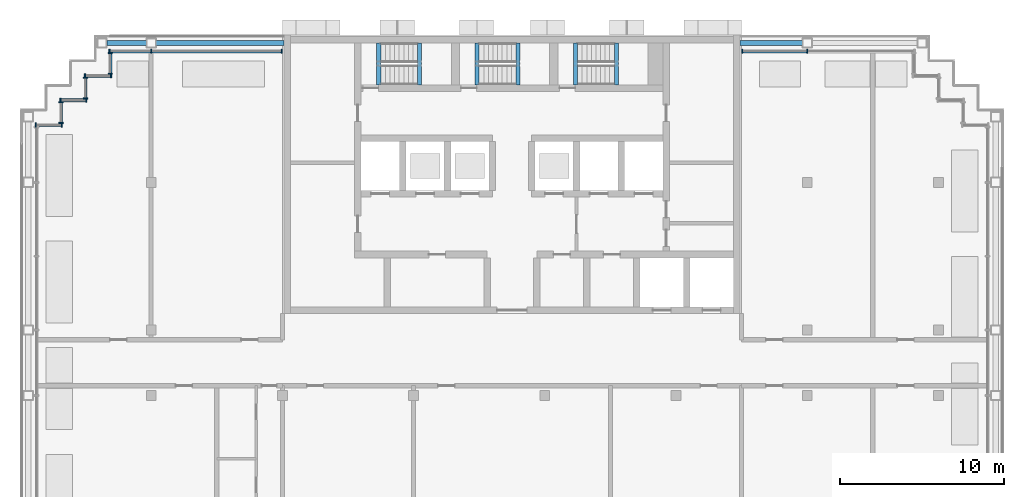
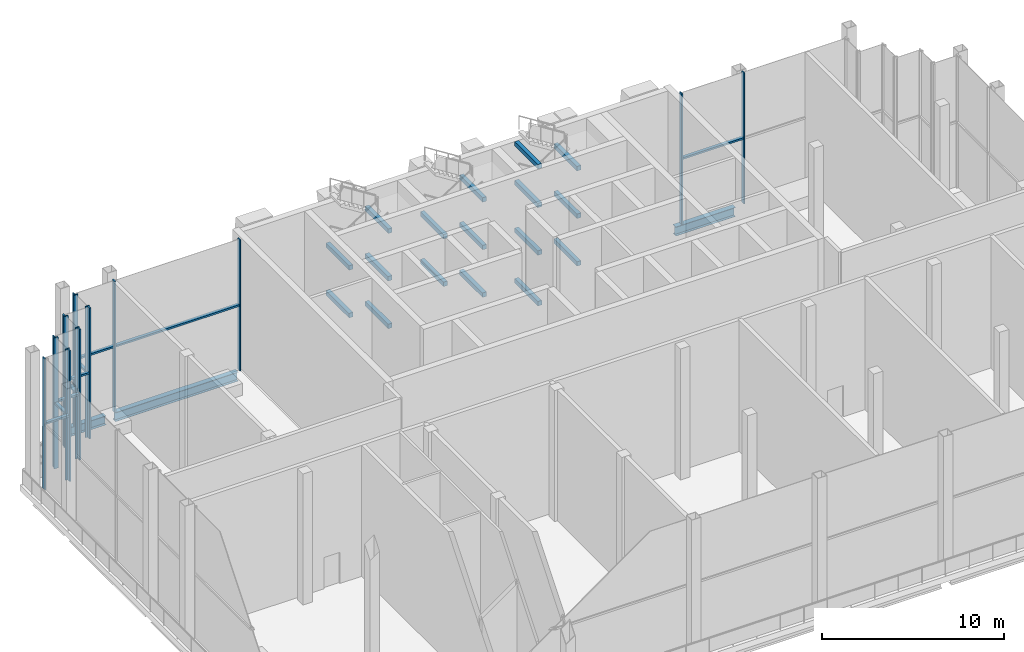
# One storey, part 4 of 15: 26 members, 20 beams, 8 elements without a shape of their own.
"""IFC4 building model written with IfcOpenShell, lengths in metres."""

from ifc_helpers import new_model, si_unit, direction, frame, origin, origin_2d, place, context, subcontext, project, spatial, rectangle, i_section, extrude, material, material_profile, profile_set, type_object, element, aggregate, save


model = new_model("IFC4")

# Units and contexts
model_context = context("Model", 3, precision=1e-05, world=origin(), true_north=direction((0.0, 1.0)))
body_context = subcontext(model_context, "Body", "Model", "MODEL_VIEW")
ifc_project = project(units=[si_unit("LENGTHUNIT", "METRE"), si_unit("AREAUNIT", "SQUARE_METRE"), si_unit("VOLUMEUNIT", "CUBIC_METRE"), si_unit("PLANEANGLEUNIT", "RADIAN"), si_unit("MASSUNIT", "GRAM", prefix="KILO")], contexts=[model_context])

# Site, building, storey
site_placement = place(None, origin())
site = spatial("IfcSite", under=ifc_project, at=site_placement, CompositionType="ELEMENT")
building_placement = place(site_placement, origin())
building = spatial("IfcBuilding", under=site, at=building_placement, Name="Vidyagriha Tower", CompositionType="ELEMENT")
storey_placement = place(building_placement, frame((0.0, 0.0, 239.60009765625)))
storey = spatial("IfcBuildingStorey", under=building, at=storey_placement, Name="L63", CompositionType="ELEMENT", Elevation=239.60009765625)

# Beams
ifc_material_1 = material(Name="Steel ASTM A992 Grade 50", Category="steel")
ifc_material_profile_1 = material_profile(ifc_material_1, i_section(OverallWidth=0.32373046875, OverallDepth=0.612060546875, WebThickness=0.0126953125, FlangeThickness=0.01904296875, at=origin_2d()), Name="W24X104")
ifc_profile_set_1 = profile_set([ifc_material_profile_1], Name="Steel ASTM A992 Grade 50")
beam_type_1 = type_object("IfcBeamType", Name="Edge beam W24X104", PredefinedType="SPANDREL", material=ifc_profile_set_1)
beam_1_placement = place(storey_placement, frame((-24.699951171875, 19.5, -0.7060546875), z_axis=(1.0, 0.0, 0.0), x_axis=(0.0, 1.0, 0.0)))
element("IfcBeam", 1, at=beam_1_placement, inside=storey, type_object=beam_type_1, Name="st-beam-L63-NW18", PredefinedType="SPANDREL", context=body_context, shape_type="SweptSolid", body=[
    extrude(i_section(OverallWidth=0.32373046875, OverallDepth=0.612060546875, WebThickness=0.0126953125, FlangeThickness=0.01904296875, at=origin_2d()), origin(), (0.0, 0.0, 1.0), 2.39990234375),
])
beam_2_placement = place(storey_placement, frame((-21.699951171875, 19.5, -0.7060546875), z_axis=(1.0, 0.0, 0.0), x_axis=(0.0, 1.0, 0.0)))
element("IfcBeam", 2, at=beam_2_placement, inside=storey, type_object=beam_type_1, Name="st-beam-L63-NC20", PredefinedType="SPANDREL", context=body_context, shape_type="SweptSolid", body=[
    extrude(i_section(OverallWidth=0.32373046875, OverallDepth=0.612060546875, WebThickness=0.0126953125, FlangeThickness=0.01904296875, at=origin_2d()), origin(), (0.0, 0.0, 1.0), 7.800048828125),
])
beam_3_placement = place(storey_placement, frame((13.89990234375, 19.5, -0.7060546875), z_axis=(1.0, 0.0, 0.0), x_axis=(0.0, 1.0, 0.0)))
element("IfcBeam", 3, at=beam_3_placement, inside=storey, type_object=beam_type_1, Name="st-beam-L63-NC21", PredefinedType="SPANDREL", context=body_context, shape_type="SweptSolid", body=[
    extrude(i_section(OverallWidth=0.32373046875, OverallDepth=0.612060546875, WebThickness=0.0126953125, FlangeThickness=0.01904296875, at=origin_2d()), origin(), (0.0, 0.0, 1.0), 3.800048828125),
])

# Curtain wall, members
ifc_material_2 = material(Name="Aluminium and glass curtain wall", Category="aluminium")
curtain_wall_type = type_object("IfcCurtainWallType", Name="Winter garden glazing wall", PredefinedType="USERDEFINED", material=ifc_material_2)
curtain_wall_1_placement = place(storey_placement, origin())
curtain_wall_1 = element("IfcCurtainWall", 4, at=curtain_wall_1_placement, inside=storey, type_object=curtain_wall_type, Name="CW3 winter garden glazing", ObjectType="STICK GLAZING", PredefinedType="USERDEFINED")
ifc_material_3 = material(Name="Aluminium black anodised", Category="aluminium")
ifc_material_profile_2 = material_profile(ifc_material_3, rectangle(XDim=0.260009765625, YDim=0.080078125, at=origin_2d()), Name="Mullion 80x260 black aluminium")
ifc_profile_set_2 = profile_set([ifc_material_profile_2], Name="Aluminium black anodised")
member_type_1 = type_object("IfcMemberType", Name="Mullion 80x260 black aluminium", PredefinedType="MULLION", material=ifc_profile_set_2)
member_1_placement = place(storey_placement, frame((18.0, 19.0, 0.0), z_axis=(0.0, 0.0, 1.0), x_axis=(0.0, -1.0, 0.0)))
member_1 = element("IfcMember", 5, at=member_1_placement, type_object=member_type_1, Name="CW3 mullion 2", PredefinedType="MULLION", context=body_context, shape_type="SweptSolid", body=[
    extrude(rectangle(XDim=0.260009765625, YDim=0.080078125, at=origin_2d()), origin(), (0.0, 0.0, 1.0), 8.7998046875),
])
member_2_placement = place(storey_placement, frame((14.0400390625, 19.0, 0.0), z_axis=(0.0, 0.0, 1.0), x_axis=(0.0, -1.0, 0.0)))
member_2 = element("IfcMember", 6, at=member_2_placement, type_object=member_type_1, Name="CW3 mullion 3", PredefinedType="MULLION", context=body_context, shape_type="SweptSolid", body=[
    extrude(rectangle(XDim=0.260009765625, YDim=0.080078125, at=origin_2d()), origin(), (0.0, 0.0, 1.0), 8.7998046875),
])

curtain_wall_2_placement = place(storey_placement, origin())
curtain_wall_2 = element("IfcCurtainWall", 7, at=curtain_wall_2_placement, inside=storey, type_object=curtain_wall_type, Name="CW3 winter garden glazing", ObjectType="STICK GLAZING", PredefinedType="USERDEFINED")
member_3_placement = place(storey_placement, frame((-14.0400390625, 19.0, 0.0), z_axis=(0.0, 0.0, 1.0), x_axis=(0.0, -1.0, 0.0)))
member_3 = element("IfcMember", 8, at=member_3_placement, type_object=member_type_1, Name="CW3 mullion 1", PredefinedType="MULLION", context=body_context, shape_type="SweptSolid", body=[
    extrude(rectangle(XDim=0.260009765625, YDim=0.080078125, at=origin_2d()), origin(), (0.0, 0.0, 1.0), 8.7998046875),
])
member_4_placement = place(storey_placement, frame((-22.0, 19.0, 0.0), z_axis=(0.0, 0.0, 1.0), x_axis=(0.0, -1.0, 0.0)))
member_4 = element("IfcMember", 9, at=member_4_placement, type_object=member_type_1, Name="CW3 mullion 2", PredefinedType="MULLION", context=body_context, shape_type="SweptSolid", body=[
    extrude(rectangle(XDim=0.260009765625, YDim=0.080078125, at=origin_2d()), origin(), (0.0, 0.0, 1.0), 8.7998046875),
])
member_5_placement = place(storey_placement, frame((-24.5400390625, 19.0, 0.0), z_axis=(0.0, 0.0, 1.0), x_axis=(0.0, -1.0, 0.0)))
member_5 = element("IfcMember", 10, at=member_5_placement, type_object=member_type_1, Name="CW3 mullion 3", PredefinedType="MULLION", context=body_context, shape_type="SweptSolid", body=[
    extrude(rectangle(XDim=0.260009765625, YDim=0.080078125, at=origin_2d()), origin(), (0.0, 0.0, 1.0), 8.7998046875),
])

curtain_wall_3_placement = place(storey_placement, origin())
curtain_wall_3 = element("IfcCurtainWall", 11, at=curtain_wall_3_placement, inside=storey, type_object=curtain_wall_type, Name="CW3 winter garden glazing", ObjectType="STICK GLAZING", PredefinedType="USERDEFINED")
member_6_placement = place(storey_placement, frame((-24.5, 18.8798828125, 0.0)))
member_6 = element("IfcMember", 12, at=member_6_placement, type_object=member_type_1, Name="CW3 mullion 1", PredefinedType="MULLION", context=body_context, shape_type="SweptSolid", body=[
    extrude(rectangle(XDim=0.260009765625, YDim=0.080078125, at=origin_2d()), origin(), (0.0, 0.0, 1.0), 8.7998046875),
])
member_7_placement = place(storey_placement, frame((-24.5, 17.6201171875, 0.0)))
member_7 = element("IfcMember", 13, at=member_7_placement, type_object=member_type_1, Name="CW3 mullion 2", PredefinedType="MULLION", context=body_context, shape_type="SweptSolid", body=[
    extrude(rectangle(XDim=0.260009765625, YDim=0.080078125, at=origin_2d()), origin(), (0.0, 0.0, 1.0), 8.7998046875),
])

curtain_wall_4_placement = place(storey_placement, origin())
curtain_wall_4 = element("IfcCurtainWall", 14, at=curtain_wall_4_placement, inside=storey, type_object=curtain_wall_type, Name="CW3 winter garden glazing", ObjectType="STICK GLAZING", PredefinedType="USERDEFINED")
member_8_placement = place(storey_placement, frame((-24.4599609375, 17.5, 0.0), z_axis=(0.0, 0.0, 1.0), x_axis=(0.0, -1.0, 0.0)))
member_8 = element("IfcMember", 15, at=member_8_placement, type_object=member_type_1, Name="CW3 mullion 1", PredefinedType="MULLION", context=body_context, shape_type="SweptSolid", body=[
    extrude(rectangle(XDim=0.260009765625, YDim=0.080078125, at=origin_2d()), origin(), (0.0, 0.0, 1.0), 8.7998046875),
])
member_9_placement = place(storey_placement, frame((-26.0400390625, 17.5, 0.0), z_axis=(0.0, 0.0, 1.0), x_axis=(0.0, -1.0, 0.0)))
member_9 = element("IfcMember", 16, at=member_9_placement, type_object=member_type_1, Name="CW3 mullion 2", PredefinedType="MULLION", context=body_context, shape_type="SweptSolid", body=[
    extrude(rectangle(XDim=0.260009765625, YDim=0.080078125, at=origin_2d()), origin(), (0.0, 0.0, 1.0), 8.7998046875),
])

curtain_wall_5_placement = place(storey_placement, origin())
curtain_wall_5 = element("IfcCurtainWall", 17, at=curtain_wall_5_placement, inside=storey, type_object=curtain_wall_type, Name="CW3 winter garden glazing", ObjectType="STICK GLAZING", PredefinedType="USERDEFINED")
member_10_placement = place(storey_placement, frame((-26.0, 17.3798828125, 0.0)))
member_10 = element("IfcMember", 18, at=member_10_placement, type_object=member_type_1, Name="CW3 mullion 1", PredefinedType="MULLION", context=body_context, shape_type="SweptSolid", body=[
    extrude(rectangle(XDim=0.260009765625, YDim=0.080078125, at=origin_2d()), origin(), (0.0, 0.0, 1.0), 8.7998046875),
])
member_11_placement = place(storey_placement, frame((-26.0, 16.1201171875, 0.0)))
member_11 = element("IfcMember", 19, at=member_11_placement, type_object=member_type_1, Name="CW3 mullion 2", PredefinedType="MULLION", context=body_context, shape_type="SweptSolid", body=[
    extrude(rectangle(XDim=0.260009765625, YDim=0.080078125, at=origin_2d()), origin(), (0.0, 0.0, 1.0), 8.7998046875),
])

curtain_wall_6_placement = place(storey_placement, origin())
curtain_wall_6 = element("IfcCurtainWall", 20, at=curtain_wall_6_placement, inside=storey, type_object=curtain_wall_type, Name="CW3 winter garden glazing", ObjectType="STICK GLAZING", PredefinedType="USERDEFINED")
member_12_placement = place(storey_placement, frame((-25.9599609375, 16.0, 0.0), z_axis=(0.0, 0.0, 1.0), x_axis=(0.0, -1.0, 0.0)))
member_12 = element("IfcMember", 21, at=member_12_placement, type_object=member_type_1, Name="CW3 mullion 1", PredefinedType="MULLION", context=body_context, shape_type="SweptSolid", body=[
    extrude(rectangle(XDim=0.260009765625, YDim=0.080078125, at=origin_2d()), origin(), (0.0, 0.0, 1.0), 8.7998046875),
])
member_13_placement = place(storey_placement, frame((-27.5400390625, 16.0, 0.0), z_axis=(0.0, 0.0, 1.0), x_axis=(0.0, -1.0, 0.0)))
member_13 = element("IfcMember", 22, at=member_13_placement, type_object=member_type_1, Name="CW3 mullion 2", PredefinedType="MULLION", context=body_context, shape_type="SweptSolid", body=[
    extrude(rectangle(XDim=0.260009765625, YDim=0.080078125, at=origin_2d()), origin(), (0.0, 0.0, 1.0), 8.7998046875),
])

curtain_wall_7_placement = place(storey_placement, origin())
curtain_wall_7 = element("IfcCurtainWall", 23, at=curtain_wall_7_placement, inside=storey, type_object=curtain_wall_type, Name="CW3 winter garden glazing", ObjectType="STICK GLAZING", PredefinedType="USERDEFINED")
member_14_placement = place(storey_placement, frame((-27.5, 15.8798828125, 0.0)))
member_14 = element("IfcMember", 24, at=member_14_placement, type_object=member_type_1, Name="CW3 mullion 1", PredefinedType="MULLION", context=body_context, shape_type="SweptSolid", body=[
    extrude(rectangle(XDim=0.260009765625, YDim=0.080078125, at=origin_2d()), origin(), (0.0, 0.0, 1.0), 8.7998046875),
])
member_15_placement = place(storey_placement, frame((-27.5, 14.6201171875, 0.0)))
member_15 = element("IfcMember", 25, at=member_15_placement, type_object=member_type_1, Name="CW3 mullion 2", PredefinedType="MULLION", context=body_context, shape_type="SweptSolid", body=[
    extrude(rectangle(XDim=0.260009765625, YDim=0.080078125, at=origin_2d()), origin(), (0.0, 0.0, 1.0), 8.7998046875),
])

curtain_wall_8_placement = place(storey_placement, origin())
curtain_wall_8 = element("IfcCurtainWall", 26, at=curtain_wall_8_placement, inside=storey, type_object=curtain_wall_type, Name="CW3 winter garden glazing", ObjectType="STICK GLAZING", PredefinedType="USERDEFINED")
member_16_placement = place(storey_placement, frame((-27.4599609375, 14.5, 0.0), z_axis=(0.0, 0.0, 1.0), x_axis=(0.0, -1.0, 0.0)))
member_16 = element("IfcMember", 27, at=member_16_placement, type_object=member_type_1, Name="CW3 mullion 1", PredefinedType="MULLION", context=body_context, shape_type="SweptSolid", body=[
    extrude(rectangle(XDim=0.260009765625, YDim=0.080078125, at=origin_2d()), origin(), (0.0, 0.0, 1.0), 8.7998046875),
])
member_17_placement = place(storey_placement, frame((-29.0400390625, 14.5, 0.0), z_axis=(0.0, 0.0, 1.0), x_axis=(0.0, -1.0, 0.0)))
member_17 = element("IfcMember", 28, at=member_17_placement, type_object=member_type_1, Name="CW3 mullion 2", PredefinedType="MULLION", context=body_context, shape_type="SweptSolid", body=[
    extrude(rectangle(XDim=0.260009765625, YDim=0.080078125, at=origin_2d()), origin(), (0.0, 0.0, 1.0), 8.7998046875),
])

# Beams
ifc_material_4 = material(Name="Concrete C40/50", Category="concrete")
ifc_material_profile_3 = material_profile(ifc_material_4, rectangle(XDim=0.25, YDim=0.300048828125, at=origin_2d()), Name="Stair landing bearing beam 250x300")
ifc_profile_set_3 = profile_set([ifc_material_profile_3], Name="Concrete C40/50")
beam_type_2 = type_object("IfcBeamType", Name="Stair landing bearing beam 250x300", PredefinedType="BEAM", material=ifc_profile_set_3)
for number, where, z_axis, x_axis, name in (
    (29, (3.875, 16.949951171875, -0.550048828125), (0.0, 1.0, 0.0), (-1.0, 0.0, 0.0), "ST3 floor landing bearing beam L63"),
    (30, (3.875, 16.949951171875, 8.64990234375), (0.0, 1.0, 0.0), (-1.0, 0.0, 0.0), "ST3 floor landing bearing beam L64"),
    (31, (-5.635009765625, 16.949951171875, 1.25), (0.0, 1.0, 0.0), (-1.0, 0.0, 0.0), "ST1 landing bearing beam L63"),
    (32, (-8.125, 16.949951171875, 2.849853515625), (0.0, 1.0, 0.0), (-1.0, 0.0, 0.0), "ST1 landing bearing beam L63"),
    (33, (-5.635009765625, 16.949951171875, 4.449951171875), (0.0, 1.0, 0.0), (-1.0, 0.0, 0.0), "ST1 landing bearing beam L63"),
    (34, (-8.125, 16.949951171875, 6.0498046875), (0.0, 1.0, 0.0), (-1.0, 0.0, 0.0), "ST1 landing bearing beam L63"),
    (35, (-5.635009765625, 16.949951171875, 7.64990234375), (0.0, 1.0, 0.0), (-1.0, 0.0, 0.0), "ST1 landing bearing beam L63"),
    (36, (0.364990234375, 16.949951171875, 1.25), (0.0, 1.0, 0.0), (-1.0, 0.0, 0.0), "ST2 landing bearing beam L63"),
    (37, (-2.125, 16.949951171875, 2.849853515625), (0.0, 1.0, 0.0), (-1.0, 0.0, 0.0), "ST2 landing bearing beam L63"),
    (38, (0.364990234375, 16.949951171875, 4.449951171875), (0.0, 1.0, 0.0), (-1.0, 0.0, 0.0), "ST2 landing bearing beam L63"),
    (39, (-2.125, 16.949951171875, 6.0498046875), (0.0, 1.0, 0.0), (-1.0, 0.0, 0.0), "ST2 landing bearing beam L63"),
    (40, (0.364990234375, 16.949951171875, 7.64990234375), (0.0, 1.0, 0.0), (-1.0, 0.0, 0.0), "ST2 landing bearing beam L63"),
    (41, (6.364990234375, 16.949951171875, 1.25), (0.0, 1.0, 0.0), (-1.0, 0.0, 0.0), "ST3 landing bearing beam L63"),
    (42, (3.875, 16.949951171875, 2.849853515625), (0.0, 1.0, 0.0), (-1.0, 0.0, 0.0), "ST3 landing bearing beam L63"),
    (43, (6.364990234375, 16.949951171875, 4.449951171875), (0.0, 1.0, 0.0), (-1.0, 0.0, 0.0), "ST3 landing bearing beam L63"),
    (44, (3.875, 16.949951171875, 6.0498046875), (0.0, 1.0, 0.0), (-1.0, 0.0, 0.0), "ST3 landing bearing beam L63"),
    (45, (6.364990234375, 16.949951171875, 7.64990234375), (0.0, 1.0, 0.0), (-1.0, 0.0, 0.0), "ST3 landing bearing beam L63"),
):
    element("IfcBeam", number, at=place(storey_placement, frame(where, z_axis=z_axis, x_axis=x_axis)), inside=storey, type_object=beam_type_2, Name=name, PredefinedType="BEAM", context=body_context, shape_type="SweptSolid", body=[
        extrude(rectangle(XDim=0.25, YDim=0.300048828125, at=origin_2d()), origin(), (0.0, 0.0, 1.0), 2.550048828125),
    ])

# Member
ifc_material_5 = material(Name="Aluminium black anodised", Category="aluminium")
ifc_material_profile_4 = material_profile(ifc_material_5, rectangle(XDim=0.199951171875, YDim=0.1201171875, at=origin_2d()), Name="Transom 120x200 black aluminium")
ifc_profile_set_4 = profile_set([ifc_material_profile_4], Name="Aluminium black anodised")
member_type_2 = type_object("IfcMemberType", Name="Transom 120x200 black aluminium", PredefinedType="USERDEFINED", material=ifc_profile_set_4)
member_18_placement = place(storey_placement, frame((17.9599609375, 19.0, 4.39990234375), z_axis=(-1.0, 0.0, 0.0), x_axis=(0.0, -1.0, 0.0)))
member_18 = element("IfcMember", 46, at=member_18_placement, type_object=member_type_2, Name="CW3 transom 2.1", ObjectType="TRANSOM", PredefinedType="USERDEFINED", context=body_context, shape_type="SweptSolid", body=[
    extrude(rectangle(XDim=0.199951171875, YDim=0.1201171875, at=origin_2d()), origin(), (0.0, 0.0, 1.0), 3.8798828125),
])

aggregate(curtain_wall_1, [member_1, member_2, member_18])

member_19_placement = place(storey_placement, frame((-14.080078125, 19.0, 4.39990234375), z_axis=(-1.0, 0.0, 0.0), x_axis=(0.0, -1.0, 0.0)))
member_19 = element("IfcMember", 47, at=member_19_placement, type_object=member_type_2, Name="CW3 transom 1.1", ObjectType="TRANSOM", PredefinedType="USERDEFINED", context=body_context, shape_type="SweptSolid", body=[
    extrude(rectangle(XDim=0.199951171875, YDim=0.1201171875, at=origin_2d()), origin(), (0.0, 0.0, 1.0), 7.8798828125),
])

member_20_placement = place(storey_placement, frame((-22.0400390625, 19.0, 4.39990234375), z_axis=(-1.0, 0.0, 0.0), x_axis=(0.0, -1.0, 0.0)))
member_20 = element("IfcMember", 48, at=member_20_placement, type_object=member_type_2, Name="CW3 transom 2.1", ObjectType="TRANSOM", PredefinedType="USERDEFINED", context=body_context, shape_type="SweptSolid", body=[
    extrude(rectangle(XDim=0.199951171875, YDim=0.1201171875, at=origin_2d()), origin(), (0.0, 0.0, 1.0), 2.4599609375),
])

aggregate(curtain_wall_2, [member_3, member_4, member_5, member_19, member_20])

member_21_placement = place(storey_placement, frame((-24.5, 18.840087890625, 4.39990234375), z_axis=(0.0, -1.0, 0.0), x_axis=(1.0, 0.0, 0.0)))
member_21 = element("IfcMember", 49, at=member_21_placement, type_object=member_type_2, Name="CW3 transom 1.1", ObjectType="TRANSOM", PredefinedType="USERDEFINED", context=body_context, shape_type="SweptSolid", body=[
    extrude(rectangle(XDim=0.199951171875, YDim=0.1201171875, at=origin_2d()), origin(), (0.0, 0.0, 1.0), 1.18017578125),
])

aggregate(curtain_wall_3, [member_6, member_7, member_21])

member_22_placement = place(storey_placement, frame((-24.5, 17.5, 4.39990234375), z_axis=(-1.0, 0.0, 0.0), x_axis=(0.0, -1.0, 0.0)))
member_22 = element("IfcMember", 50, at=member_22_placement, type_object=member_type_2, Name="CW3 transom 1.1", ObjectType="TRANSOM", PredefinedType="USERDEFINED", context=body_context, shape_type="SweptSolid", body=[
    extrude(rectangle(XDim=0.199951171875, YDim=0.1201171875, at=origin_2d()), origin(), (0.0, 0.0, 1.0), 1.5),
])

aggregate(curtain_wall_4, [member_8, member_9, member_22])

member_23_placement = place(storey_placement, frame((-26.0, 17.340087890625, 4.39990234375), z_axis=(0.0, -1.0, 0.0), x_axis=(1.0, 0.0, 0.0)))
member_23 = element("IfcMember", 51, at=member_23_placement, type_object=member_type_2, Name="CW3 transom 1.1", ObjectType="TRANSOM", PredefinedType="USERDEFINED", context=body_context, shape_type="SweptSolid", body=[
    extrude(rectangle(XDim=0.199951171875, YDim=0.1201171875, at=origin_2d()), origin(), (0.0, 0.0, 1.0), 1.18017578125),
])

aggregate(curtain_wall_5, [member_10, member_11, member_23])

member_24_placement = place(storey_placement, frame((-26.0, 16.0, 4.39990234375), z_axis=(-1.0, 0.0, 0.0), x_axis=(0.0, -1.0, 0.0)))
member_24 = element("IfcMember", 52, at=member_24_placement, type_object=member_type_2, Name="CW3 transom 1.1", ObjectType="TRANSOM", PredefinedType="USERDEFINED", context=body_context, shape_type="SweptSolid", body=[
    extrude(rectangle(XDim=0.199951171875, YDim=0.1201171875, at=origin_2d()), origin(), (0.0, 0.0, 1.0), 1.5),
])

aggregate(curtain_wall_6, [member_12, member_13, member_24])

member_25_placement = place(storey_placement, frame((-27.5, 15.840087890625, 4.39990234375), z_axis=(0.0, -1.0, 0.0), x_axis=(1.0, 0.0, 0.0)))
member_25 = element("IfcMember", 53, at=member_25_placement, type_object=member_type_2, Name="CW3 transom 1.1", ObjectType="TRANSOM", PredefinedType="USERDEFINED", context=body_context, shape_type="SweptSolid", body=[
    extrude(rectangle(XDim=0.199951171875, YDim=0.1201171875, at=origin_2d()), origin(), (0.0, 0.0, 1.0), 1.18017578125),
])

aggregate(curtain_wall_7, [member_14, member_15, member_25])

member_26_placement = place(storey_placement, frame((-27.5, 14.5, 4.39990234375), z_axis=(-1.0, 0.0, 0.0), x_axis=(0.0, -1.0, 0.0)))
member_26 = element("IfcMember", 54, at=member_26_placement, type_object=member_type_2, Name="CW3 transom 1.1", ObjectType="TRANSOM", PredefinedType="USERDEFINED", context=body_context, shape_type="SweptSolid", body=[
    extrude(rectangle(XDim=0.199951171875, YDim=0.1201171875, at=origin_2d()), origin(), (0.0, 0.0, 1.0), 1.5),
])

aggregate(curtain_wall_8, [member_16, member_17, member_26])

save(model, "model.ifc")
